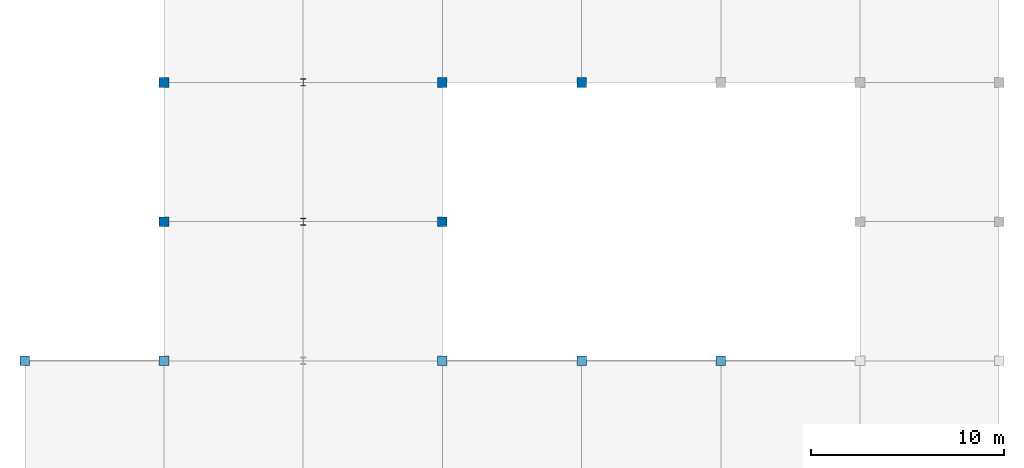
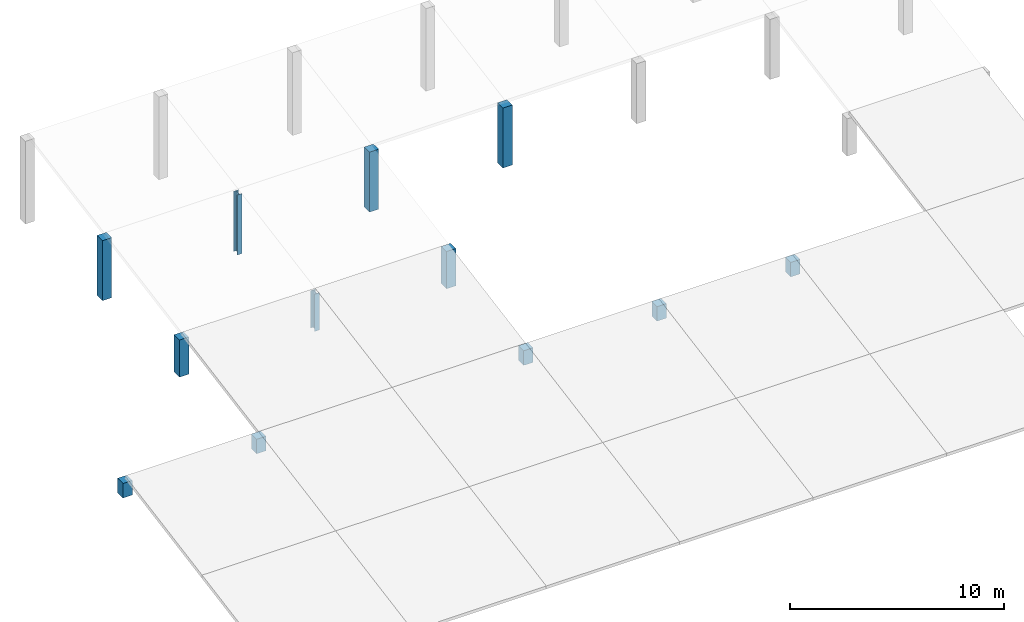
# One storey, part 1 of 4: 12 columns.
"""IFC4 building model written with IfcOpenShell, lengths in metres."""

from ifc_helpers import new_model, si_unit, direction, frame, origin, origin_2d, place, context, subcontext, project, spatial, rectangle, i_section, extrude, material, material_profile, profile_set, type_object, element, save


model = new_model("IFC4")

# Units and contexts
model_context = context("Model", 3, precision=1e-05, world=origin(), true_north=direction((0.0, 1.0)))
body_context = subcontext(model_context, "Body", "Model", "MODEL_VIEW")
ifc_project = project(units=[si_unit("LENGTHUNIT", "METRE"), si_unit("AREAUNIT", "SQUARE_METRE"), si_unit("VOLUMEUNIT", "CUBIC_METRE"), si_unit("PLANEANGLEUNIT", "RADIAN"), si_unit("MASSUNIT", "GRAM", prefix="KILO")], contexts=[model_context])

# Site, building, storey
site_placement = place(None, origin())
site = spatial("IfcSite", under=ifc_project, at=site_placement, CompositionType="ELEMENT")
building_placement = place(site_placement, origin())
building = spatial("IfcBuilding", under=site, at=building_placement, Name="Sillqori Civic Hall", CompositionType="ELEMENT")
storey_placement = place(building_placement, frame((0.0, 0.0, 30.0)))
storey = spatial("IfcBuildingStorey", under=building, at=storey_placement, Name="ROOF", CompositionType="ELEMENT", Elevation=30.0)

# Columns
ifc_material_1 = material(Name="Concrete C35/45 (H35)", Category="concrete")
ifc_material_profile_1 = material_profile(ifc_material_1, rectangle(XDim=0.5, YDim=0.5, at=origin_2d()), Name="RC 500x500")
ifc_profile_set_1 = profile_set([ifc_material_profile_1], Name="Concrete C35/45 (H35)")
column_type_1 = type_object("IfcColumnType", Name="COL-RC500", PredefinedType="COLUMN", material=ifc_profile_set_1)
for number, where, z_axis, x_axis, name in (
    (1, (50.39990234375, 93.60009765625, 0.0), (0.0, 0.0, 1.0), (1.0, 0.0, 0.0), "ROOF column 7-13"),
    (2, (57.60009765625, 93.60009765625, 0.0), (0.0, 0.0, 1.0), (1.0, 0.0, 0.0), "ROOF column 8-13"),
):
    element("IfcColumn", number, at=place(storey_placement, frame(where, z_axis=z_axis, x_axis=x_axis)), inside=storey, type_object=column_type_1, Name=name, PredefinedType="COLUMN", context=body_context, shape_type="SweptSolid", body=[
        extrude(rectangle(XDim=0.5, YDim=0.5, at=origin_2d()), origin(), (0.0, 0.0, 1.0), 0.828857421875),
    ])
column_1_placement = place(storey_placement, frame((57.60009765625, 100.800048828125, 0.0), z_axis=(0.0, 0.0, 1.0), x_axis=(1.0, 0.0, 0.0)))
element("IfcColumn", 3, at=column_1_placement, inside=storey, type_object=column_type_1, Name="ROOF column 8-14", PredefinedType="COLUMN", context=body_context, shape_type="SweptSolid", body=[
    extrude(rectangle(XDim=0.5, YDim=0.5, at=origin_2d()), origin(), (0.0, 0.0, 1.0), 2.124755859375),
])
column_2_placement = place(storey_placement, frame((57.60009765625, 108.0, 0.0), z_axis=(0.0, 0.0, 1.0), x_axis=(1.0, 0.0, 0.0)))
element("IfcColumn", 4, at=column_2_placement, inside=storey, type_object=column_type_1, Name="ROOF column 8-15", PredefinedType="COLUMN", context=body_context, shape_type="SweptSolid", body=[
    extrude(rectangle(XDim=0.5, YDim=0.5, at=origin_2d()), origin(), (0.0, 0.0, 1.0), 3.4208984375),
])
column_3_placement = place(storey_placement, frame((72.0, 93.60009765625, 0.0), z_axis=(0.0, 0.0, 1.0), x_axis=(1.0, 0.0, 0.0)))
element("IfcColumn", 5, at=column_3_placement, inside=storey, type_object=column_type_1, Name="ROOF column 10-13", PredefinedType="COLUMN", context=body_context, shape_type="SweptSolid", body=[
    extrude(rectangle(XDim=0.5, YDim=0.5, at=origin_2d()), origin(), (0.0, 0.0, 1.0), 0.828857421875),
])
column_4_placement = place(storey_placement, frame((72.0, 100.800048828125, 0.0), z_axis=(0.0, 0.0, 1.0), x_axis=(1.0, 0.0, 0.0)))
element("IfcColumn", 6, at=column_4_placement, inside=storey, type_object=column_type_1, Name="ROOF column 10-14", PredefinedType="COLUMN", context=body_context, shape_type="SweptSolid", body=[
    extrude(rectangle(XDim=0.5, YDim=0.5, at=origin_2d()), origin(), (0.0, 0.0, 1.0), 2.124755859375),
])
column_5_placement = place(storey_placement, frame((72.0, 108.0, 0.0), z_axis=(0.0, 0.0, 1.0), x_axis=(1.0, 0.0, 0.0)))
element("IfcColumn", 7, at=column_5_placement, inside=storey, type_object=column_type_1, Name="ROOF column 10-15", PredefinedType="COLUMN", context=body_context, shape_type="SweptSolid", body=[
    extrude(rectangle(XDim=0.5, YDim=0.5, at=origin_2d()), origin(), (0.0, 0.0, 1.0), 3.4208984375),
])
column_6_placement = place(storey_placement, frame((79.199951171875, 93.60009765625, 0.0), z_axis=(0.0, 0.0, 1.0), x_axis=(1.0, 0.0, 0.0)))
element("IfcColumn", 8, at=column_6_placement, inside=storey, type_object=column_type_1, Name="ROOF column 11-13", PredefinedType="COLUMN", context=body_context, shape_type="SweptSolid", body=[
    extrude(rectangle(XDim=0.5, YDim=0.5, at=origin_2d()), origin(), (0.0, 0.0, 1.0), 0.828857421875),
])
column_7_placement = place(storey_placement, frame((79.199951171875, 108.0, 0.0), z_axis=(0.0, 0.0, 1.0), x_axis=(1.0, 0.0, 0.0)))
element("IfcColumn", 9, at=column_7_placement, inside=storey, type_object=column_type_1, Name="ROOF column 11-15", PredefinedType="COLUMN", context=body_context, shape_type="SweptSolid", body=[
    extrude(rectangle(XDim=0.5, YDim=0.5, at=origin_2d()), origin(), (0.0, 0.0, 1.0), 3.4208984375),
])
column_8_placement = place(storey_placement, frame((86.39990234375, 93.60009765625, 0.0), z_axis=(0.0, 0.0, 1.0), x_axis=(1.0, 0.0, 0.0)))
element("IfcColumn", 10, at=column_8_placement, inside=storey, type_object=column_type_1, Name="ROOF column 12-13", PredefinedType="COLUMN", context=body_context, shape_type="SweptSolid", body=[
    extrude(rectangle(XDim=0.5, YDim=0.5, at=origin_2d()), origin(), (0.0, 0.0, 1.0), 0.828857421875),
])
ifc_material_2 = material(Name="Steel ASTM A992", Category="steel")
ifc_material_profile_2 = material_profile(ifc_material_2, i_section(OverallWidth=0.257080078125, OverallDepth=0.363037109375, WebThickness=0.012939453125, FlangeThickness=0.021728515625, FilletRadius=0.014892578125, at=origin_2d()), Name="W14X82")
ifc_profile_set_2 = profile_set([ifc_material_profile_2], Name="Steel ASTM A992")
column_type_2 = type_object("IfcColumnType", Name="COL-W14X82", PredefinedType="COLUMN", material=ifc_profile_set_2)
column_9_placement = place(storey_placement, frame((64.800048828125, 100.800048828125, 0.0), z_axis=(0.0, 0.0, 1.0), x_axis=(1.0, 0.0, 0.0)))
element("IfcColumn", 11, at=column_9_placement, inside=storey, type_object=column_type_2, Name="ROOF column 9-14", PredefinedType="COLUMN", context=body_context, shape_type="SweptSolid", body=[
    extrude(i_section(OverallWidth=0.257080078125, OverallDepth=0.363037109375, WebThickness=0.012939453125, FlangeThickness=0.021728515625, FilletRadius=0.014892578125, at=origin_2d()), origin(), (0.0, 0.0, 1.0), 2.124755859375),
])
column_10_placement = place(storey_placement, frame((64.800048828125, 108.0, 0.0), z_axis=(0.0, 0.0, 1.0), x_axis=(1.0, 0.0, 0.0)))
element("IfcColumn", 12, at=column_10_placement, inside=storey, type_object=column_type_2, Name="ROOF column 9-15", PredefinedType="COLUMN", context=body_context, shape_type="SweptSolid", body=[
    extrude(i_section(OverallWidth=0.257080078125, OverallDepth=0.363037109375, WebThickness=0.012939453125, FlangeThickness=0.021728515625, FilletRadius=0.014892578125, at=origin_2d()), origin(), (0.0, 0.0, 1.0), 3.4208984375),
])

save(model, "model.ifc")
